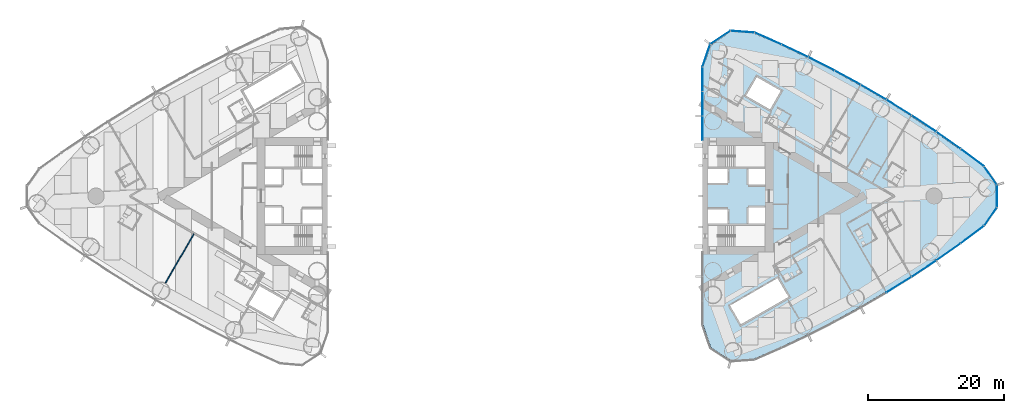
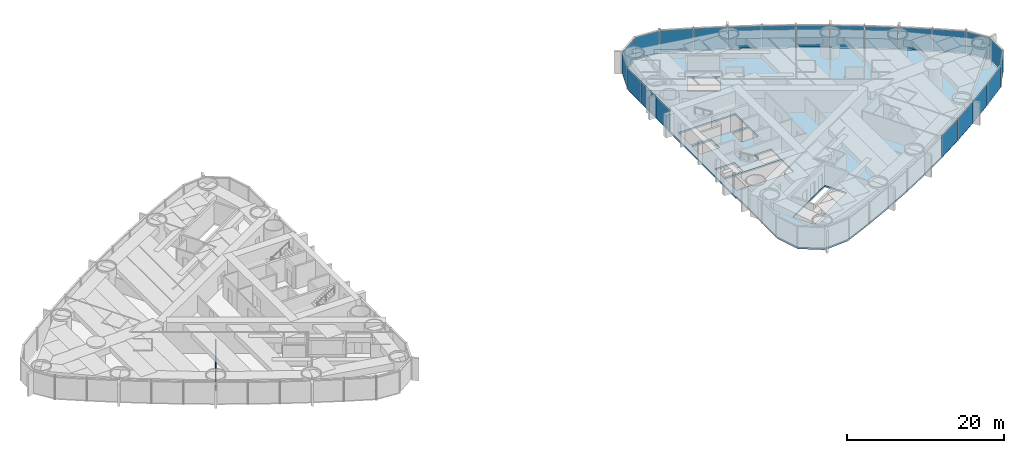
# One storey, part 10 of 18: 22 plates, 1 slab, 1 wall, 1 element without a shape of its own.
"""IFC4 building model written with IfcOpenShell, lengths in metres."""

from ifc_helpers import new_model, si_unit, direction, frame, frame_2d, origin, origin_2d, place, context, subcontext, project, spatial, polyline, rectangle, outline, extrude, material, layer, layer_set, type_object, element, aggregate, save


model = new_model("IFC4")

# Units and contexts
model_context = context("Model", 3, precision=1e-05, world=origin(), true_north=direction((0.0, 1.0)))
body_context = subcontext(model_context, "Body", "Model", "MODEL_VIEW")
ifc_project = project(units=[si_unit("LENGTHUNIT", "METRE"), si_unit("AREAUNIT", "SQUARE_METRE"), si_unit("VOLUMEUNIT", "CUBIC_METRE"), si_unit("PLANEANGLEUNIT", "RADIAN"), si_unit("MASSUNIT", "GRAM", prefix="KILO")], contexts=[model_context])

# Site, building, storey
site_placement = place(None, origin())
site = spatial("IfcSite", under=ifc_project, at=site_placement, CompositionType="ELEMENT")
building_placement = place(site_placement, origin())
building = spatial("IfcBuilding", under=site, at=building_placement, Name="Lancet Gate Hotel", CompositionType="ELEMENT")
storey_placement = place(building_placement, frame((0.0, 0.0, 108.10009765625)))
storey = spatial("IfcBuildingStorey", under=building, at=storey_placement, Name="L28", CompositionType="ELEMENT", Elevation=108.10009765625)

# Slab
ifc_material_1 = material(Name="Concrete C50/60", Category="concrete")
ifc_layer_1 = layer(ifc_material_1, 0.25)
ifc_layer_set_1 = layer_set([ifc_layer_1], Name="Floor slab 250")
slab_type = type_object("IfcSlabType", Name="Floor slab 250", PredefinedType="FLOOR", material=ifc_layer_set_1)
slab_placement = place(storey_placement, frame((0.0, 0.0, -0.25)))
element("IfcSlab", 1, at=slab_placement, inside=storey, type_object=slab_type, Name="T2 L28 floor slab", PredefinedType="FLOOR", context=body_context, shape_type="SweptSolid", body=[
    extrude(outline(polyline([(27.5, -8.60009765625), (27.6201171875, -8.60009765625), (27.6201171875, -18.923095703125), (28.7451171875, -22.22412109375), (31.63427734375, -24.1396484375), (35.112060546875, -23.890869140625), (39.0712890625, -22.150634765625), (42.996826171875, -20.29052734375), (46.867919921875, -18.31982421875), (50.681640625, -16.23974609375), (54.4345703125, -14.052490234375), (58.123779296875, -11.75927734375), (61.74658203125, -9.362548828125), (65.2998046875, -6.863525390625), (68.7666015625, -4.275390625), (70.627197265625, -1.6142578125), (70.627197265625, 1.6142578125), (68.7666015625, 4.275390625), (65.2998046875, 6.863525390625), (61.74658203125, 9.362548828125), (58.123779296875, 11.75927734375), (54.4345703125, 14.052490234375), (50.681640625, 16.23974609375), (46.867919921875, 18.31982421875), (42.996826171875, 20.29052734375), (39.0712890625, 22.150634765625), (35.112060546875, 23.890869140625), (31.63427734375, 24.1396484375), (28.7451171875, 22.22412109375), (27.6201171875, 18.923095703125), (27.6201171875, 8.60009765625), (27.5, 8.60009765625), (27.5, 8.199951171875), (27.5, -8.199951171875), (27.5, -8.60009765625)]), holes=[polyline([(36.699951171875, -7.39990234375), (36.699951171875, -4.300048828125), (28.300048828125, -4.300048828125), (28.300048828125, -7.39990234375), (36.699951171875, -7.39990234375)]), polyline([(28.300048828125, -4.0), (31.199951171875, -4.0), (31.199951171875, -1.89990234375), (28.300048828125, -1.89990234375), (28.300048828125, -4.0)]), polyline([(34.25, -4.0), (36.699951171875, -4.0), (36.699951171875, -1.64990234375), (34.25, -1.64990234375), (34.25, -4.0)]), polyline([(36.699951171875, 1.64990234375), (36.699951171875, 4.0), (34.25, 4.0), (34.25, 1.64990234375), (36.699951171875, 1.64990234375)]), polyline([(28.300048828125, 1.89990234375), (31.199951171875, 1.89990234375), (31.199951171875, 4.0), (28.300048828125, 4.0), (28.300048828125, 1.89990234375)]), polyline([(28.300048828125, 4.300048828125), (36.699951171875, 4.300048828125), (36.699951171875, 7.39990234375), (28.300048828125, 7.39990234375), (28.300048828125, 4.300048828125)]), polyline([(31.549072265625, -16.0810546875), (33.14892578125, -18.85205078125), (40.1640625, -14.802001953125), (38.56396484375, -12.031005859375), (31.549072265625, -16.0810546875)]), polyline([(33.887939453125, 14.73095703125), (37.43798828125, 12.680908203125), (39.0380859375, 15.451904296875), (35.488037109375, 17.501953125), (33.887939453125, 14.73095703125)])]), origin(), (0.0, 0.0, 1.0), 0.25),
])

# Curtain wall, plates
ifc_material_2 = material(Name="Aluminium curtain wall", Category="aluminium")
curtain_wall_type = type_object("IfcCurtainWallType", Name="Tower unitised curtain wall", PredefinedType="USERDEFINED", material=ifc_material_2)
curtain_wall_placement = place(storey_placement, origin())
curtain_wall = element("IfcCurtainWall", 2, at=curtain_wall_placement, inside=storey, type_object=curtain_wall_type, Name="T2 L28 curtain wall 1", ObjectType="UNITISED CURTAIN WALL", PredefinedType="USERDEFINED")
ifc_material_3 = material(Name="Glass double glazed unit 8-16-6", Category="glass")
ifc_layer_2 = layer(ifc_material_3, 0.030029296875)
ifc_layer_set_2 = layer_set([ifc_layer_2], Name="Vision panel double glazed")
plate_type = type_object("IfcPlateType", Name="Vision panel double glazed", PredefinedType="CURTAIN_PANEL", material=ifc_layer_set_2)
plate_1_placement = place(storey_placement, frame((56.342529296875, -13.0078125, -0.000244140625), z_axis=(0.0, 0.0, 1.0), x_axis=(0.849317759497, 0.527881940781, 0.0)))
plate_1 = element("IfcPlate", 3, at=plate_1_placement, type_object=plate_type, Name="T2 L28 curtain wall 1 panel 12", PredefinedType="CURTAIN_PANEL", context=body_context, shape_type="SweptSolid", body=[
    extrude(rectangle(XDim=4.2822265625, YDim=0.030029296875, at=origin_2d()), origin(), (0.0, 0.0, 1.0), 3.35009765625),
])
plate_2_placement = place(storey_placement, frame((60.00146484375, -10.660888671875, -0.000244140625), z_axis=(0.0, 0.0, 1.0), x_axis=(0.83398495346, 0.551787184885, 0.0)))
plate_2 = element("IfcPlate", 4, at=plate_2_placement, type_object=plate_type, Name="T2 L28 curtain wall 1 panel 13", PredefinedType="CURTAIN_PANEL", context=body_context, shape_type="SweptSolid", body=[
    extrude(rectangle(XDim=4.2822265625, YDim=0.030029296875, at=origin_2d()), origin(), (0.0, 0.0, 1.0), 3.35009765625),
])
plate_3_placement = place(storey_placement, frame((63.59228515625, -8.211181640625, -0.000244140625), z_axis=(0.0, 0.0, 1.0), x_axis=(0.817979492167, 0.57524738191, 0.0)))
plate_3 = element("IfcPlate", 5, at=plate_3_placement, type_object=plate_type, Name="T2 L28 curtain wall 1 panel 14", PredefinedType="CURTAIN_PANEL", context=body_context, shape_type="SweptSolid", body=[
    extrude(rectangle(XDim=4.2822265625, YDim=0.030029296875, at=origin_2d()), origin(), (0.0, 0.0, 1.0), 3.35009765625),
])
plate_4_placement = place(storey_placement, frame((67.112060546875, -5.660400390625, -0.000244140625), z_axis=(0.0, 0.0, 1.0), x_axis=(0.801314284905, 0.598243609917, 0.0)))
plate_4 = element("IfcPlate", 6, at=plate_4_placement, type_object=plate_type, Name="T2 L28 curtain wall 1 panel 15", PredefinedType="CURTAIN_PANEL", context=body_context, shape_type="SweptSolid", body=[
    extrude(rectangle(XDim=4.2822265625, YDim=0.030029296875, at=origin_2d()), origin(), (0.0, 0.0, 1.0), 3.35009765625),
])
plate_5_placement = place(storey_placement, frame((69.800537109375, -3.006103515625, -0.000244140625), z_axis=(0.0, 0.0, 1.0), x_axis=(0.573025075425, 0.819537834962, 0.0)))
plate_5 = element("IfcPlate", 7, at=plate_5_placement, type_object=plate_type, Name="T2 L28 curtain wall 1 panel 16", PredefinedType="CURTAIN_PANEL", context=body_context, shape_type="SweptSolid", body=[
    extrude(rectangle(XDim=3.2392578125, YDim=0.030029296875, at=origin_2d()), origin(), (0.0, 0.0, 1.0), 3.35009765625),
])
plate_6_placement = place(storey_placement, frame((70.747314453125, 0.0, -0.000244140625), z_axis=(0.0, 0.0, 1.0), x_axis=(0.0, 1.0, 0.0)))
plate_6 = element("IfcPlate", 8, at=plate_6_placement, type_object=plate_type, Name="T2 L28 curtain wall 1 panel 17", PredefinedType="CURTAIN_PANEL", context=body_context, shape_type="SweptSolid", body=[
    extrude(rectangle(XDim=3.2392578125, YDim=0.030029296875, at=origin_2d()), origin(), (0.0, 0.0, 1.0), 3.35009765625),
])
plate_7_placement = place(storey_placement, frame((69.800537109375, 3.006103515625, -0.000244140625), z_axis=(0.0, 0.0, 1.0), x_axis=(-0.573025075425, 0.819537834962, 0.0)))
plate_7 = element("IfcPlate", 9, at=plate_7_placement, type_object=plate_type, Name="T2 L28 curtain wall 1 panel 18", PredefinedType="CURTAIN_PANEL", context=body_context, shape_type="SweptSolid", body=[
    extrude(rectangle(XDim=3.2392578125, YDim=0.030029296875, at=origin_2d()), origin(), (0.0, 0.0, 1.0), 3.35009765625),
])
plate_8_placement = place(storey_placement, frame((67.112060546875, 5.660400390625, -0.000244140625), z_axis=(0.0, 0.0, 1.0), x_axis=(-0.801314284905, 0.598243609917, 0.0)))
plate_8 = element("IfcPlate", 10, at=plate_8_placement, type_object=plate_type, Name="T2 L28 curtain wall 1 panel 19", PredefinedType="CURTAIN_PANEL", context=body_context, shape_type="SweptSolid", body=[
    extrude(rectangle(XDim=4.2822265625, YDim=0.030029296875, at=origin_2d()), origin(), (0.0, 0.0, 1.0), 3.35009765625),
])
plate_9_placement = place(storey_placement, frame((63.59228515625, 8.211181640625, -0.000244140625), z_axis=(0.0, 0.0, 1.0), x_axis=(-0.817979492167, 0.57524738191, 0.0)))
plate_9 = element("IfcPlate", 11, at=plate_9_placement, type_object=plate_type, Name="T2 L28 curtain wall 1 panel 20", PredefinedType="CURTAIN_PANEL", context=body_context, shape_type="SweptSolid", body=[
    extrude(rectangle(XDim=4.2822265625, YDim=0.030029296875, at=origin_2d()), origin(), (0.0, 0.0, 1.0), 3.35009765625),
])
plate_10_placement = place(storey_placement, frame((60.00146484375, 10.660888671875, -0.000244140625), z_axis=(0.0, 0.0, 1.0), x_axis=(-0.83398495346, 0.551787184885, 0.0)))
plate_10 = element("IfcPlate", 12, at=plate_10_placement, type_object=plate_type, Name="T2 L28 curtain wall 1 panel 21", PredefinedType="CURTAIN_PANEL", context=body_context, shape_type="SweptSolid", body=[
    extrude(rectangle(XDim=4.2822265625, YDim=0.030029296875, at=origin_2d()), origin(), (0.0, 0.0, 1.0), 3.35009765625),
])
plate_11_placement = place(storey_placement, frame((56.342529296875, 13.0078125, -0.000244140625), z_axis=(0.0, 0.0, 1.0), x_axis=(-0.849317759497, 0.527881940781, 0.0)))
plate_11 = element("IfcPlate", 13, at=plate_11_placement, type_object=plate_type, Name="T2 L28 curtain wall 1 panel 22", PredefinedType="CURTAIN_PANEL", context=body_context, shape_type="SweptSolid", body=[
    extrude(rectangle(XDim=4.2822265625, YDim=0.030029296875, at=origin_2d()), origin(), (0.0, 0.0, 1.0), 3.35009765625),
])
plate_12_placement = place(storey_placement, frame((52.618408203125, 15.249755859375, -0.000244140625), z_axis=(0.0, 0.0, 1.0), x_axis=(-0.863965543499, 0.503550930538, 0.0)))
plate_12 = element("IfcPlate", 14, at=plate_12_placement, type_object=plate_type, Name="T2 L28 curtain wall 1 panel 23", PredefinedType="CURTAIN_PANEL", context=body_context, shape_type="SweptSolid", body=[
    extrude(rectangle(XDim=4.2822265625, YDim=0.030029296875, at=origin_2d()), origin(), (0.0, 0.0, 1.0), 3.35009765625),
])
plate_13_placement = place(storey_placement, frame((48.832275390625, 17.38525390625, -0.000244140625), z_axis=(0.0, 0.0, 1.0), x_axis=(-0.877916491224, 0.478813778454, 0.0)))
plate_13 = element("IfcPlate", 15, at=plate_13_placement, type_object=plate_type, Name="T2 L28 curtain wall 1 panel 24", PredefinedType="CURTAIN_PANEL", context=body_context, shape_type="SweptSolid", body=[
    extrude(rectangle(XDim=4.2822265625, YDim=0.030029296875, at=origin_2d()), origin(), (0.0, 0.0, 1.0), 3.35009765625),
])
plate_14_placement = place(storey_placement, frame((44.98681640625, 19.412109375, -0.000244140625), z_axis=(0.0, 0.0, 1.0), x_axis=(-0.891159350462, 0.453690436403, 0.0)))
plate_14 = element("IfcPlate", 16, at=plate_14_placement, type_object=plate_type, Name="T2 L28 curtain wall 1 panel 25", PredefinedType="CURTAIN_PANEL", context=body_context, shape_type="SweptSolid", body=[
    extrude(rectangle(XDim=4.2822265625, YDim=0.030029296875, at=origin_2d()), origin(), (0.0, 0.0, 1.0), 3.35009765625),
])
plate_15_placement = place(storey_placement, frame((41.08544921875, 21.3291015625, -0.000244140625), z_axis=(0.0, 0.0, 1.0), x_axis=(-0.903683440096, 0.428201167789, 0.0)))
plate_15 = element("IfcPlate", 17, at=plate_15_placement, type_object=plate_type, Name="T2 L28 curtain wall 1 panel 26", PredefinedType="CURTAIN_PANEL", context=body_context, shape_type="SweptSolid", body=[
    extrude(rectangle(XDim=4.2822265625, YDim=0.030029296875, at=origin_2d()), origin(), (0.0, 0.0, 1.0), 3.35009765625),
])
plate_16_placement = place(storey_placement, frame((37.13134765625, 23.13427734375, -0.000244140625), z_axis=(0.0, 0.0, 1.0), x_axis=(-0.915478658759, 0.40236653111, 0.0)))
plate_16 = element("IfcPlate", 18, at=plate_16_placement, type_object=plate_type, Name="T2 L28 curtain wall 1 panel 27", PredefinedType="CURTAIN_PANEL", context=body_context, shape_type="SweptSolid", body=[
    extrude(rectangle(XDim=4.2822265625, YDim=0.030029296875, at=origin_2d()), origin(), (0.0, 0.0, 1.0), 3.35009765625),
])
plate_17_placement = place(storey_placement, frame((33.37158203125, 24.1357421875, -0.000244140625), z_axis=(0.0, 0.0, 1.0), x_axis=(-0.997448492935, 0.07138980278, 0.0)))
plate_17 = element("IfcPlate", 19, at=plate_17_placement, type_object=plate_type, Name="T2 L28 curtain wall 1 panel 28", PredefinedType="CURTAIN_PANEL", context=body_context, shape_type="SweptSolid", body=[
    extrude(rectangle(XDim=3.4833984375, YDim=0.030029296875, at=origin_2d()), origin(), (0.0, 0.0, 1.0), 3.35009765625),
])
plate_18_placement = place(storey_placement, frame((30.123291015625, 23.281982421875, -0.000244140625), z_axis=(0.0, 0.0, 1.0), x_axis=(-0.833464516611, -0.552572981198, 0.0)))
plate_18 = element("IfcPlate", 20, at=plate_18_placement, type_object=plate_type, Name="T2 L28 curtain wall 1 panel 29", PredefinedType="CURTAIN_PANEL", context=body_context, shape_type="SweptSolid", body=[
    extrude(rectangle(XDim=3.4833984375, YDim=0.030029296875, at=origin_2d()), origin(), (0.0, 0.0, 1.0), 3.35009765625),
])
plate_19_placement = place(storey_placement, frame((28.072265625, 20.622314453125, -0.000244140625), z_axis=(0.0, 0.0, 1.0), x_axis=(-0.32257568891, -0.946543673015, 0.0)))
plate_19 = element("IfcPlate", 21, at=plate_19_placement, type_object=plate_type, Name="T2 L28 curtain wall 1 panel 30", PredefinedType="CURTAIN_PANEL", context=body_context, shape_type="SweptSolid", body=[
    extrude(rectangle(XDim=3.4833984375, YDim=0.030029296875, at=origin_2d()), origin(), (0.0, 0.0, 1.0), 3.35009765625),
])
plate_20_placement = place(storey_placement, frame((27.5, 17.15234375, -0.000244140625), z_axis=(0.0, 0.0, 1.0), x_axis=(0.0, -1.0, 0.0)))
plate_20 = element("IfcPlate", 22, at=plate_20_placement, type_object=plate_type, Name="T2 L28 curtain wall 1 panel 31", PredefinedType="CURTAIN_PANEL", context=body_context, shape_type="SweptSolid", body=[
    extrude(rectangle(XDim=3.515869140625, YDim=0.030029296875, at=origin_2d()), origin(), (0.0, 0.0, 1.0), 3.35009765625),
])
plate_21_placement = place(storey_placement, frame((27.5, 13.571533203125, -0.000244140625), z_axis=(0.0, 0.0, 1.0), x_axis=(0.0, -1.0, 0.0)))
plate_21 = element("IfcPlate", 23, at=plate_21_placement, type_object=plate_type, Name="T2 L28 curtain wall 1 panel 32", PredefinedType="CURTAIN_PANEL", context=body_context, shape_type="SweptSolid", body=[
    extrude(rectangle(XDim=3.515869140625, YDim=0.030029296875, at=origin_2d()), origin(), (0.0, 0.0, 1.0), 3.35009765625),
])
plate_22_placement = place(storey_placement, frame((27.5, 9.990478515625, -0.000244140625), z_axis=(0.0, 0.0, 1.0), x_axis=(0.0, -1.0, 0.0)))
plate_22 = element("IfcPlate", 24, at=plate_22_placement, type_object=plate_type, Name="T2 L28 curtain wall 1 panel 33", PredefinedType="CURTAIN_PANEL", context=body_context, shape_type="SweptSolid", body=[
    extrude(rectangle(XDim=3.515869140625, YDim=0.030029296875, at=origin_2d()), origin(), (0.0, 0.0, 1.0), 3.35009765625),
])
aggregate(curtain_wall, [plate_1, plate_2, plate_3, plate_4, plate_5, plate_6, plate_7, plate_8, plate_9, plate_10, plate_11, plate_12, plate_13, plate_14, plate_15, plate_16, plate_17, plate_18, plate_19, plate_20, plate_21, plate_22])

# Wall
ifc_material_4 = material(Name="Gypsum board partition")
ifc_layer_3 = layer(ifc_material_4, 0.14990234375)
ifc_layer_set_3 = layer_set([ifc_layer_3], Name="Party wall 150")
wall_type = type_object("IfcWallType", Name="Party wall 150", PredefinedType="PARTITIONING", material=ifc_layer_set_3)
wall_placement = place(storey_placement, frame((-47.151123046875, -5.552490234375, 0.0), z_axis=(0.0, 0.0, 1.0), x_axis=(-0.500003012045, -0.866023664773, 0.0)))
element("IfcWall", 25, at=wall_placement, inside=storey, type_object=wall_type, Name="T1 party wall 150 L28", PredefinedType="PARTITIONING", context=body_context, shape_type="SweptSolid", body=[
    extrude(rectangle(XDim=8.31103515625, YDim=0.14990234375, at=frame_2d((4.155517578125, 0.0))), origin(), (0.0, 0.0, 1.0), 2.199951171875),
])

save(model, "model.ifc")
